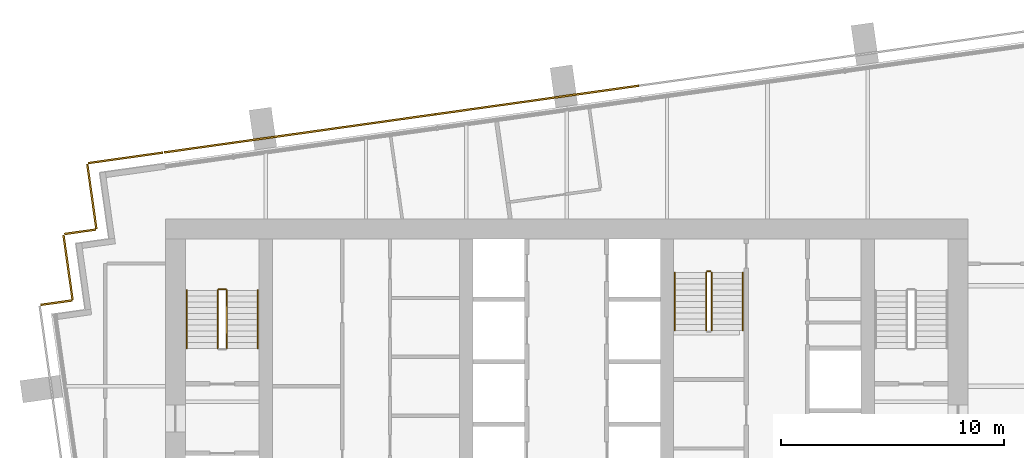
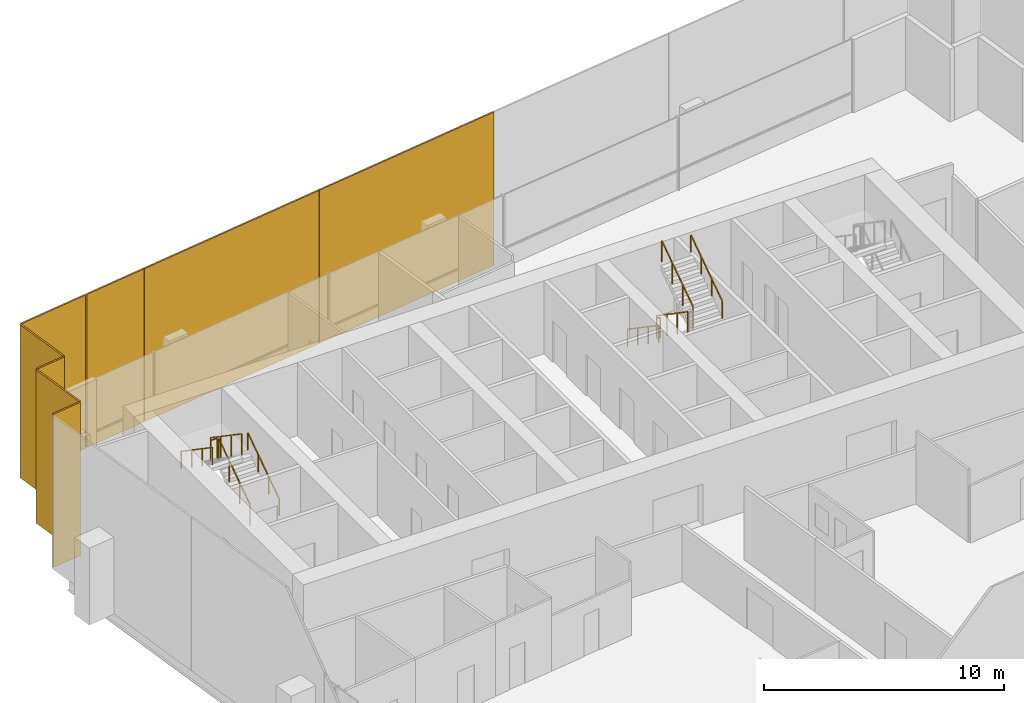
# One storey, part 16 of 17: 10 railings, 8 coverings.
"""IFC4 building model written with IfcOpenShell, lengths in metres."""

from ifc_helpers import new_model, si_unit, direction, frame, origin, origin_2d, place, context, subcontext, project, spatial, rectangle, extrude, material, layer, layer_set, type_object, element, save


model = new_model("IFC4")

# Units and contexts
model_context = context("Model", 3, precision=1e-05, world=origin(), true_north=direction((0.0, 1.0)))
body_context = subcontext(model_context, "Body", "Model", "MODEL_VIEW")
ifc_project = project(units=[si_unit("LENGTHUNIT", "METRE"), si_unit("AREAUNIT", "SQUARE_METRE"), si_unit("VOLUMEUNIT", "CUBIC_METRE"), si_unit("PLANEANGLEUNIT", "RADIAN"), si_unit("MASSUNIT", "GRAM", prefix="KILO")], contexts=[model_context])

# Site, building, storey
site_placement = place(None, origin())
site = spatial("IfcSite", under=ifc_project, at=site_placement, CompositionType="ELEMENT")
building_placement = place(site_placement, origin())
building = spatial("IfcBuilding", under=site, at=building_placement, Name="Rattan Terrace Tower", CompositionType="ELEMENT")
storey_placement = place(building_placement, frame((0.0, 0.0, 225.199951171875)))
storey = spatial("IfcBuildingStorey", under=building, at=storey_placement, Name="L51", CompositionType="ELEMENT", Elevation=225.199951171875)

# Railings
ifc_material_1 = material(Name="Powder-coated steel guard", Category="steel")
railing_type_1 = type_object("IfcRailingType", Name="Core stair guard", PredefinedType="GUARDRAIL", material=ifc_material_1)
railing_1_placement = place(storey_placement, frame((-15.25, 1.699951171875, 0.17724609375)))
element("IfcRailing", 1, at=railing_1_placement, inside=storey, type_object=railing_type_1, Name="L51 S1 stair guard 1", PredefinedType="GUARDRAIL", context=body_context, shape_type="SweptSolid", body=[
    extrude(rectangle(XDim=0.048095703125, YDim=0.048095703125, at=origin_2d()), frame((0.0, 0.0, 1.076171875), z_axis=(0.0, 0.826240473404, 0.563317565952), x_axis=(-1.0, 0.0, 0.0)), (0.0, 0.0, 1.0), 3.14697265625),
    extrude(rectangle(XDim=0.0419921875, YDim=0.0419921875, at=origin_2d()), origin(), (0.0, 0.0, 1.0), 1.052001953125),
    extrude(rectangle(XDim=0.0419921875, YDim=0.0419921875, at=origin_2d()), frame((0.0, 0.86669921875, 0.5908203125)), (0.0, 0.0, 1.0), 1.052001953125),
    extrude(rectangle(XDim=0.0419921875, YDim=0.0419921875, at=origin_2d()), frame((0.0, 1.7333984375, 1.181884765625)), (0.0, 0.0, 1.0), 1.052001953125),
    extrude(rectangle(XDim=0.0419921875, YDim=0.0419921875, at=origin_2d()), frame((0.0, 2.60009765625, 1.772705078125)), (0.0, 0.0, 1.0), 1.052001953125),
])
railing_2_placement = place(storey_placement, frame((-15.300048828125, 4.35009765625, 1.949951171875)))
element("IfcRailing", 2, at=railing_2_placement, inside=storey, type_object=railing_type_1, Name="L51 S1 stair guard 2", PredefinedType="GUARDRAIL", context=body_context, shape_type="SweptSolid", body=[
    extrude(rectangle(XDim=0.048095703125, YDim=0.048095703125, at=origin_2d()), frame((0.0, 0.0, 1.076171875), z_axis=(-1.0, 0.0, 0.0), x_axis=(0.0, -1.0, 0.0)), (0.0, 0.0, 1.0), 0.300048828125),
    extrude(rectangle(XDim=0.0419921875, YDim=0.0419921875, at=origin_2d()), origin(), (0.0, 0.0, 1.0), 1.052001953125),
    extrude(rectangle(XDim=0.0419921875, YDim=0.0419921875, at=origin_2d()), frame((-0.300048828125, 0.0, 0.0)), (0.0, 0.0, 1.0), 1.052001953125),
])
for number, where, name in (
    (3, (-15.64990234375, 4.300048828125, 2.12744140625), "L51 S1 stair guard 3"),
    (4, (6.25, 5.10009765625, 0.17724609375), "L51 S3 stair guard 1"),
):
    element("IfcRailing", number, at=place(storey_placement, frame(where)), inside=storey, type_object=railing_type_1, Name=name, PredefinedType="GUARDRAIL", context=body_context, shape_type="SweptSolid", body=[
        extrude(rectangle(XDim=0.048095703125, YDim=0.048095703125, at=origin_2d()), frame((0.0, 0.0, 1.076171875), z_axis=(0.0, -0.826240473404, 0.563317565952), x_axis=(1.0, 0.0, 0.0)), (0.0, 0.0, 1.0), 3.14697265625),
        extrude(rectangle(XDim=0.0419921875, YDim=0.0419921875, at=origin_2d()), origin(), (0.0, 0.0, 1.0), 1.052001953125),
        extrude(rectangle(XDim=0.0419921875, YDim=0.0419921875, at=origin_2d()), frame((0.0, -0.86669921875, 0.5908203125)), (0.0, 0.0, 1.0), 1.052001953125),
        extrude(rectangle(XDim=0.0419921875, YDim=0.0419921875, at=origin_2d()), frame((0.0, -1.7333984375, 1.181884765625)), (0.0, 0.0, 1.0), 1.052001953125),
        extrude(rectangle(XDim=0.0419921875, YDim=0.0419921875, at=origin_2d()), frame((0.0, -2.60009765625, 1.772705078125)), (0.0, 0.0, 1.0), 1.052001953125),
    ])
railing_3_placement = place(storey_placement, frame((6.5, 2.5, 2.12744140625)))
element("IfcRailing", 5, at=railing_3_placement, inside=storey, type_object=railing_type_1, Name="L51 S3 stair guard 3", PredefinedType="GUARDRAIL", context=body_context, shape_type="SweptSolid", body=[
    extrude(rectangle(XDim=0.048095703125, YDim=0.048095703125, at=origin_2d()), frame((0.0, 0.0, 1.076171875), z_axis=(0.0, 0.826240473404, 0.563317565952), x_axis=(-1.0, 0.0, 0.0)), (0.0, 0.0, 1.0), 3.14697265625),
    extrude(rectangle(XDim=0.0419921875, YDim=0.0419921875, at=origin_2d()), origin(), (0.0, 0.0, 1.0), 1.052001953125),
    extrude(rectangle(XDim=0.0419921875, YDim=0.0419921875, at=origin_2d()), frame((0.0, 0.86669921875, 0.5908203125)), (0.0, 0.0, 1.0), 1.052001953125),
    extrude(rectangle(XDim=0.0419921875, YDim=0.0419921875, at=origin_2d()), frame((0.0, 1.7333984375, 1.181884765625)), (0.0, 0.0, 1.0), 1.052001953125),
    extrude(rectangle(XDim=0.0419921875, YDim=0.0419921875, at=origin_2d()), frame((0.0, 2.60009765625, 1.772705078125)), (0.0, 0.0, 1.0), 1.052001953125),
])
railing_4_placement = place(storey_placement, frame((6.300048828125, 5.14990234375, 0.0)))
element("IfcRailing", 6, at=railing_4_placement, inside=storey, type_object=railing_type_1, Name="L51 S3 stair guard 4", PredefinedType="GUARDRAIL", context=body_context, shape_type="SweptSolid", body=[
    extrude(rectangle(XDim=0.048095703125, YDim=0.048095703125, at=origin_2d()), frame((0.0, 0.0, 1.076171875), z_axis=(1.0, 0.0, 0.0), x_axis=(0.0, 1.0, 0.0)), (0.0, 0.0, 1.0), 0.14990234375),
    extrude(rectangle(XDim=0.0419921875, YDim=0.0419921875, at=origin_2d()), origin(), (0.0, 0.0, 1.0), 1.052001953125),
    extrude(rectangle(XDim=0.0419921875, YDim=0.0419921875, at=origin_2d()), frame((0.14990234375, 0.0, 0.0)), (0.0, 0.0, 1.0), 1.052001953125),
])
ifc_material_2 = material(Name="Powder-coated steel handrail", Category="steel")
railing_type_2 = type_object("IfcRailingType", Name="Core stair handrail", PredefinedType="HANDRAIL", material=ifc_material_2)
railing_5_placement = place(storey_placement, frame((-13.85009765625, 1.699951171875, 0.17724609375)))
element("IfcRailing", 7, at=railing_5_placement, inside=storey, type_object=railing_type_2, Name="L51 S1 stair handrail 1", PredefinedType="HANDRAIL", context=body_context, shape_type="SweptSolid", body=[
    extrude(rectangle(XDim=0.048095703125, YDim=0.048095703125, at=origin_2d()), frame((0.0, 0.0, 0.8759765625), z_axis=(0.0, 0.826240473404, 0.563317565952), x_axis=(-1.0, 0.0, 0.0)), (0.0, 0.0, 1.0), 3.14697265625),
    extrude(rectangle(XDim=0.0419921875, YDim=0.0419921875, at=origin_2d()), origin(), (0.0, 0.0, 1.0), 0.851806640625),
    extrude(rectangle(XDim=0.0419921875, YDim=0.0419921875, at=origin_2d()), frame((0.0, 0.86669921875, 0.5908203125)), (0.0, 0.0, 1.0), 0.851806640625),
    extrude(rectangle(XDim=0.0419921875, YDim=0.0419921875, at=origin_2d()), frame((0.0, 1.7333984375, 1.181884765625)), (0.0, 0.0, 1.0), 0.851806640625),
    extrude(rectangle(XDim=0.0419921875, YDim=0.0419921875, at=origin_2d()), frame((0.0, 2.60009765625, 1.772705078125)), (0.0, 0.0, 1.0), 0.851806640625),
])
for number, where, name in (
    (8, (-17.050048828125, 4.300048828125, 2.12744140625), "L51 S1 stair handrail 2"),
    (9, (4.85009765625, 5.10009765625, 0.17724609375), "L51 S3 stair handrail 1"),
):
    element("IfcRailing", number, at=place(storey_placement, frame(where)), inside=storey, type_object=railing_type_2, Name=name, PredefinedType="HANDRAIL", context=body_context, shape_type="SweptSolid", body=[
        extrude(rectangle(XDim=0.048095703125, YDim=0.048095703125, at=origin_2d()), frame((0.0, 0.0, 0.8759765625), z_axis=(0.0, -0.826240473404, 0.563317565952), x_axis=(1.0, 0.0, 0.0)), (0.0, 0.0, 1.0), 3.14697265625),
        extrude(rectangle(XDim=0.0419921875, YDim=0.0419921875, at=origin_2d()), origin(), (0.0, 0.0, 1.0), 0.851806640625),
        extrude(rectangle(XDim=0.0419921875, YDim=0.0419921875, at=origin_2d()), frame((0.0, -0.86669921875, 0.5908203125)), (0.0, 0.0, 1.0), 0.851806640625),
        extrude(rectangle(XDim=0.0419921875, YDim=0.0419921875, at=origin_2d()), frame((0.0, -1.7333984375, 1.181884765625)), (0.0, 0.0, 1.0), 0.851806640625),
        extrude(rectangle(XDim=0.0419921875, YDim=0.0419921875, at=origin_2d()), frame((0.0, -2.60009765625, 1.772705078125)), (0.0, 0.0, 1.0), 0.851806640625),
    ])
railing_6_placement = place(storey_placement, frame((7.89990234375, 2.5, 2.12744140625)))
element("IfcRailing", 10, at=railing_6_placement, inside=storey, type_object=railing_type_2, Name="L51 S3 stair handrail 2", PredefinedType="HANDRAIL", context=body_context, shape_type="SweptSolid", body=[
    extrude(rectangle(XDim=0.048095703125, YDim=0.048095703125, at=origin_2d()), frame((0.0, 0.0, 0.8759765625), z_axis=(0.0, 0.826240473404, 0.563317565952), x_axis=(-1.0, 0.0, 0.0)), (0.0, 0.0, 1.0), 3.14697265625),
    extrude(rectangle(XDim=0.0419921875, YDim=0.0419921875, at=origin_2d()), origin(), (0.0, 0.0, 1.0), 0.851806640625),
    extrude(rectangle(XDim=0.0419921875, YDim=0.0419921875, at=origin_2d()), frame((0.0, 0.86669921875, 0.5908203125)), (0.0, 0.0, 1.0), 0.851806640625),
    extrude(rectangle(XDim=0.0419921875, YDim=0.0419921875, at=origin_2d()), frame((0.0, 1.7333984375, 1.181884765625)), (0.0, 0.0, 1.0), 0.851806640625),
    extrude(rectangle(XDim=0.0419921875, YDim=0.0419921875, at=origin_2d()), frame((0.0, 2.60009765625, 1.772705078125)), (0.0, 0.0, 1.0), 0.851806640625),
])

# Coverings
ifc_material_3 = material(Name="Perforated terracotta", Category="masonry")
ifc_layer = layer(ifc_material_3, 0.080078125)
ifc_layer_set = layer_set([ifc_layer], Name="Facade Terracotta Screen Panel HZ")
covering_type = type_object("IfcCoveringType", Name="Facade Terracotta Screen Panel HZ", PredefinedType="CLADDING", material=ifc_layer_set)
for number, where, z_axis, x_axis, name in (
    (11, (-1.325927734375, 12.837646484375, -0.18994140625), (0.0, 0.0, 1.0), (-0.990267457022, -0.139177453499, 0.0), "OUTER SKIN panel L51-16"),
    (12, (-10.467041015625, 11.552978515625, -0.18994140625), (0.0, 0.0, 1.0), (-0.990267457022, -0.139177453499, 0.0), "OUTER SKIN panel L51-17"),
):
    element("IfcCovering", number, at=place(storey_placement, frame(where, z_axis=z_axis, x_axis=x_axis)), inside=storey, type_object=covering_type, Name=name, PredefinedType="CLADDING", context=body_context, shape_type="SweptSolid", body=[
        extrude(rectangle(XDim=9.2109375, YDim=0.080078125, at=origin_2d()), origin(), (0.0, 0.0, 1.0), 7.780029296875),
    ])
covering_1_placement = place(storey_placement, frame((-16.54541015625, 10.69873046875, -0.18994140625), z_axis=(0.0, 0.0, 1.0), x_axis=(-0.990267457022, -0.139177453499, 0.0)))
element("IfcCovering", 13, at=covering_1_placement, inside=storey, type_object=covering_type, Name="OUTER SKIN panel L51-18", PredefinedType="CLADDING", context=body_context, shape_type="SweptSolid", body=[
    extrude(rectangle(XDim=3.025390625, YDim=0.080078125, at=origin_2d()), origin(), (0.0, 0.0, 1.0), 7.780029296875),
])
covering_2_placement = place(storey_placement, frame((-19.791259765625, 10.2421875, -0.18994140625), z_axis=(0.0, 0.0, 1.0), x_axis=(-0.990247240581, -0.139321220646, 0.0)))
element("IfcCovering", 14, at=covering_2_placement, inside=storey, type_object=covering_type, Name="OUTER SKIN panel L51-19", PredefinedType="CLADDING", context=body_context, shape_type="SweptSolid", body=[
    extrude(rectangle(XDim=3.3701171875, YDim=0.080078125, at=origin_2d()), origin(), (0.0, 0.0, 1.0), 7.780029296875),
])
covering_3_placement = place(storey_placement, frame((-21.299560546875, 8.505126953125, -0.18994140625), z_axis=(0.0, 0.0, 1.0), x_axis=(0.138994363123, -0.990293172258, 0.0)))
element("IfcCovering", 15, at=covering_3_placement, inside=storey, type_object=covering_type, Name="OUTER SKIN panel L51-20", PredefinedType="CLADDING", context=body_context, shape_type="SweptSolid", body=[
    extrude(rectangle(XDim=2.919921875, YDim=0.080078125, at=origin_2d()), origin(), (0.0, 0.0, 1.0), 7.780029296875),
])
covering_4_placement = place(storey_placement, frame((-21.8251953125, 6.927001953125, -0.18994140625), z_axis=(0.0, 0.0, 1.0), x_axis=(-0.990332587523, -0.138713251317, 0.0)))
element("IfcCovering", 16, at=covering_4_placement, inside=storey, type_object=covering_type, Name="OUTER SKIN panel L51-21", PredefinedType="CLADDING", context=body_context, shape_type="SweptSolid", body=[
    extrude(rectangle(XDim=1.419677734375, YDim=0.080078125, at=origin_2d()), origin(), (0.0, 0.0, 1.0), 7.780029296875),
])
covering_5_placement = place(storey_placement, frame((-22.3671875, 5.326171875, -0.18994140625), z_axis=(0.0, 0.0, 1.0), x_axis=(0.139321220646, -0.990247240581, 0.0)))
element("IfcCovering", 17, at=covering_5_placement, inside=storey, type_object=covering_type, Name="OUTER SKIN panel L51-22", PredefinedType="CLADDING", context=body_context, shape_type="SweptSolid", body=[
    extrude(rectangle(XDim=2.92041015625, YDim=0.080078125, at=origin_2d()), origin(), (0.0, 0.0, 1.0), 7.780029296875),
])
covering_6_placement = place(storey_placement, frame((-22.892578125, 3.747314453125, -0.18994140625), z_axis=(0.0, 0.0, 1.0), x_axis=(-0.99025370695, -0.139275252184, 0.0)))
element("IfcCovering", 18, at=covering_6_placement, inside=storey, type_object=covering_type, Name="OUTER SKIN panel L51-23", PredefinedType="CLADDING", context=body_context, shape_type="SweptSolid", body=[
    extrude(rectangle(XDim=1.420654296875, YDim=0.080078125, at=origin_2d()), origin(), (0.0, 0.0, 1.0), 7.780029296875),
])

save(model, "model.ifc")
